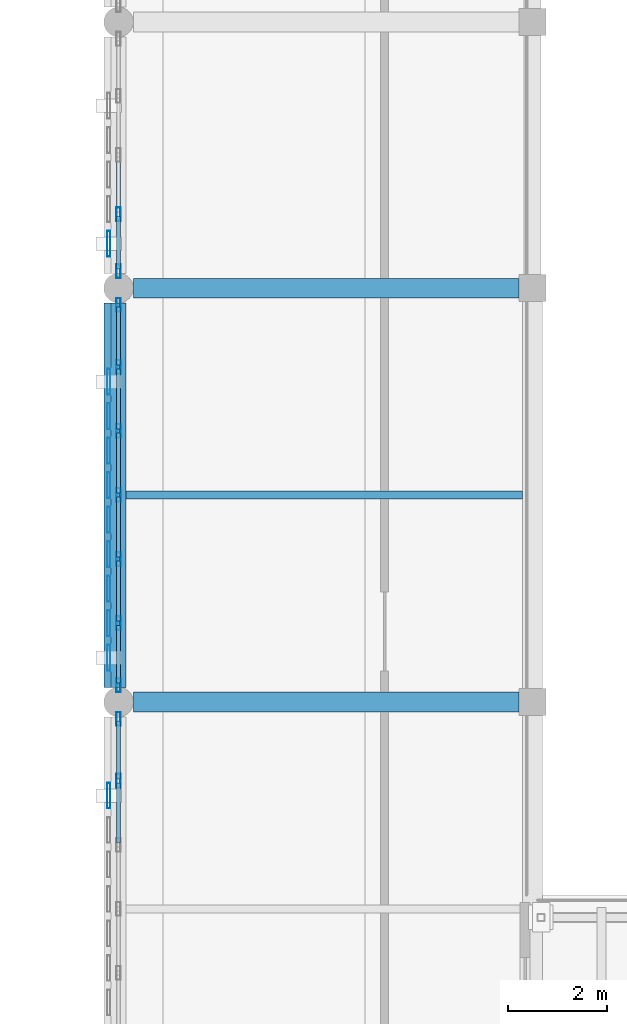
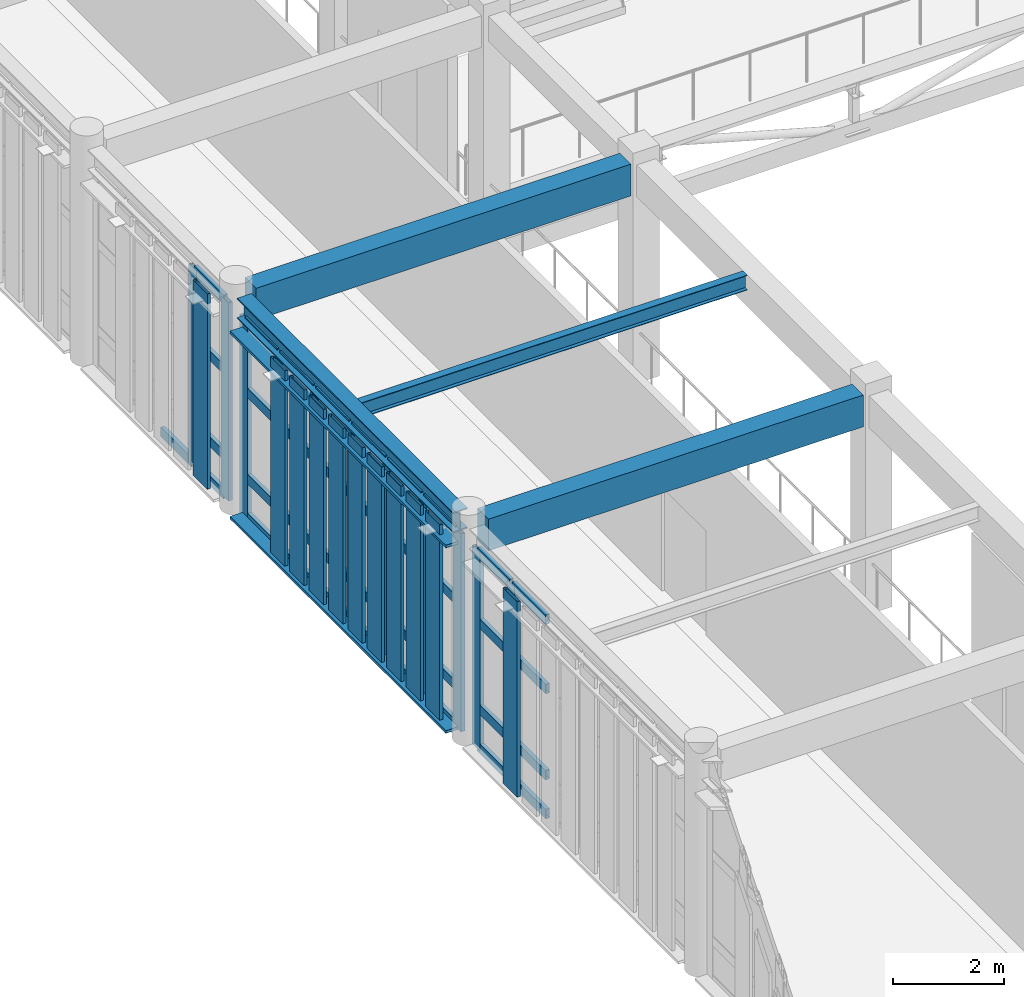
# One storey, part 30 of 93: 61 members, 4 beams, 3 elements without a shape of their own.
"""IFC4 building model written with IfcOpenShell, lengths in metres."""

from ifc_helpers import new_model, si_unit, direction, frame, origin, origin_2d, place, context, subcontext, project, spatial, rectangle, hollow_rectangle, i_section, extrude, material, layer, layer_set, material_profile, profile_set, type_object, element, aggregate, save


model = new_model("IFC4")

# Units and contexts
model_context = context("Model", 3, precision=1e-05, world=origin(), true_north=direction((0.0, 1.0)))
body_context = subcontext(model_context, "Body", "Model", "MODEL_VIEW")
ifc_project = project(units=[si_unit("LENGTHUNIT", "METRE"), si_unit("AREAUNIT", "SQUARE_METRE"), si_unit("VOLUMEUNIT", "CUBIC_METRE"), si_unit("PLANEANGLEUNIT", "RADIAN"), si_unit("MASSUNIT", "GRAM", prefix="KILO")], contexts=[model_context])

# Site, building, storey
site_placement = place(None, origin())
site = spatial("IfcSite", under=ifc_project, at=site_placement, CompositionType="ELEMENT")
building_placement = place(site_placement, origin())
building = spatial("IfcBuilding", under=site, at=building_placement, Name="Krzemoval Escarpment Law Courts", CompositionType="ELEMENT")
storey_placement = place(building_placement, frame((0.0, 0.0, 10.199951171875)))
storey = spatial("IfcBuildingStorey", under=building, at=storey_placement, Name="L02", CompositionType="ELEMENT", Elevation=10.199951171875)

# Beams
ifc_material_1 = material(Name="Concrete C40/50", Category="concrete")
ifc_material_profile_1 = material_profile(ifc_material_1, rectangle(XDim=0.39990234375, YDim=0.699951171875, at=origin_2d()), Name="RCB 400x700")
ifc_profile_set_1 = profile_set([ifc_material_profile_1], Name="Concrete C40/50")
beam_type_1 = type_object("IfcBeamType", Name="BM-RC-400x700", PredefinedType="BEAM", material=ifc_profile_set_1)
for number, where, z_axis, x_axis, name in (
    (1, (8.699951171875, 66.0, 4.469970703125), (1.0, 0.0, 0.0), (0.0, 1.0, 0.0), "Beam FG-L02-1794"),
    (2, (8.699951171875, 74.39990234375, 4.469970703125), (1.0, 0.0, 0.0), (0.0, 1.0, 0.0), "Beam FG-L02-1796"),
):
    element("IfcBeam", number, at=place(storey_placement, frame(where, z_axis=z_axis, x_axis=x_axis)), inside=storey, type_object=beam_type_1, Name=name, PredefinedType="BEAM", context=body_context, shape_type="SweptSolid", body=[
        extrude(rectangle(XDim=0.39990234375, YDim=0.699951171875, at=origin_2d()), origin(), (0.0, 0.0, 1.0), 7.824951171875),
    ])

# Curtain wall, members
ifc_material_2 = material(Name="Aluminium 6063-T6", Category="aluminium")
ifc_layer = layer(ifc_material_2, 0.280029296875)
ifc_layer_set = layer_set([ifc_layer], Name="Aluminium 6063-T6")
curtain_wall_type = type_object("IfcCurtainWallType", Name="CW-HALL-5100", PredefinedType="USERDEFINED", material=ifc_layer_set)
curtain_wall_1_placement = place(storey_placement, origin())
curtain_wall_1 = element("IfcCurtainWall", 3, at=curtain_wall_1_placement, inside=storey, type_object=curtain_wall_type, Name="Unitised Curtain Wall FCW-L02-067", ObjectType="UNITISED_CURTAIN_WALL", PredefinedType="USERDEFINED")
ifc_material_3 = material(Name="Aluminium 6063-T6", Category="aluminium")
ifc_material_profile_2 = material_profile(ifc_material_3, hollow_rectangle(XDim=0.0849609375, YDim=0.280029296875, WallThickness=0.005615234375, at=origin_2d()), Name="ALU M85x280")
ifc_profile_set_2 = profile_set([ifc_material_profile_2], Name="Aluminium 6063-T6")
member_type_1 = type_object("IfcMemberType", Name="CWM-85x280", PredefinedType="MULLION", material=ifc_profile_set_2)
member_1_placement = place(storey_placement, frame((8.39990234375, 64.39990234375, 0.0), z_axis=(0.0, 0.0, 1.0), x_axis=(-1.0, 0.0, 0.0)))
member_1 = element("IfcMember", 4, at=member_1_placement, type_object=member_type_1, Name="FCW-L02-067 mullion 6", PredefinedType="MULLION", context=body_context, shape_type="SweptSolid", body=[
    extrude(hollow_rectangle(XDim=0.0849609375, YDim=0.280029296875, WallThickness=0.005615234375, at=origin_2d()), origin(), (0.0, 0.0, 1.0), 4.3701171875),
])
member_2_placement = place(storey_placement, frame((8.39990234375, 65.657470703125, 0.0), z_axis=(0.0, 0.0, 1.0), x_axis=(-1.0, 0.0, 0.0)))
member_2 = element("IfcMember", 5, at=member_2_placement, type_object=member_type_1, Name="FCW-L02-067 mullion 7", PredefinedType="MULLION", context=body_context, shape_type="SweptSolid", body=[
    extrude(hollow_rectangle(XDim=0.0849609375, YDim=0.280029296875, WallThickness=0.005615234375, at=origin_2d()), origin(), (0.0, 0.0, 1.0), 4.3701171875),
])

curtain_wall_2_placement = place(storey_placement, origin())
curtain_wall_2 = element("IfcCurtainWall", 6, at=curtain_wall_2_placement, inside=storey, type_object=curtain_wall_type, Name="Unitised Curtain Wall FCW-L02-068", ObjectType="UNITISED_CURTAIN_WALL", PredefinedType="USERDEFINED")
member_3_placement = place(storey_placement, frame((8.39990234375, 66.342529296875, 0.0), z_axis=(0.0, 0.0, 1.0), x_axis=(-1.0, 0.0, 0.0)))
member_3 = element("IfcMember", 7, at=member_3_placement, type_object=member_type_1, Name="FCW-L02-068 mullion 1", PredefinedType="MULLION", context=body_context, shape_type="SweptSolid", body=[
    extrude(hollow_rectangle(XDim=0.0849609375, YDim=0.280029296875, WallThickness=0.005615234375, at=origin_2d()), origin(), (0.0, 0.0, 1.0), 4.3701171875),
])
member_4_placement = place(storey_placement, frame((8.39990234375, 67.60009765625, 0.0), z_axis=(0.0, 0.0, 1.0), x_axis=(-1.0, 0.0, 0.0)))
member_4 = element("IfcMember", 8, at=member_4_placement, type_object=member_type_1, Name="FCW-L02-068 mullion 2", PredefinedType="MULLION", context=body_context, shape_type="SweptSolid", body=[
    extrude(hollow_rectangle(XDim=0.0849609375, YDim=0.280029296875, WallThickness=0.005615234375, at=origin_2d()), origin(), (0.0, 0.0, 1.0), 4.3701171875),
])
member_5_placement = place(storey_placement, frame((8.39990234375, 68.89990234375, 0.0), z_axis=(0.0, 0.0, 1.0), x_axis=(-1.0, 0.0, 0.0)))
member_5 = element("IfcMember", 9, at=member_5_placement, type_object=member_type_1, Name="FCW-L02-068 mullion 3", PredefinedType="MULLION", context=body_context, shape_type="SweptSolid", body=[
    extrude(hollow_rectangle(XDim=0.0849609375, YDim=0.280029296875, WallThickness=0.005615234375, at=origin_2d()), origin(), (0.0, 0.0, 1.0), 4.3701171875),
])
member_6_placement = place(storey_placement, frame((8.39990234375, 70.199951171875, 0.0), z_axis=(0.0, 0.0, 1.0), x_axis=(-1.0, 0.0, 0.0)))
member_6 = element("IfcMember", 10, at=member_6_placement, type_object=member_type_1, Name="FCW-L02-068 mullion 4", PredefinedType="MULLION", context=body_context, shape_type="SweptSolid", body=[
    extrude(hollow_rectangle(XDim=0.0849609375, YDim=0.280029296875, WallThickness=0.005615234375, at=origin_2d()), origin(), (0.0, 0.0, 1.0), 4.3701171875),
])
member_7_placement = place(storey_placement, frame((8.39990234375, 71.5, 0.0), z_axis=(0.0, 0.0, 1.0), x_axis=(-1.0, 0.0, 0.0)))
member_7 = element("IfcMember", 11, at=member_7_placement, type_object=member_type_1, Name="FCW-L02-068 mullion 5", PredefinedType="MULLION", context=body_context, shape_type="SweptSolid", body=[
    extrude(hollow_rectangle(XDim=0.0849609375, YDim=0.280029296875, WallThickness=0.005615234375, at=origin_2d()), origin(), (0.0, 0.0, 1.0), 4.3701171875),
])
member_8_placement = place(storey_placement, frame((8.39990234375, 72.800048828125, 0.0), z_axis=(0.0, 0.0, 1.0), x_axis=(-1.0, 0.0, 0.0)))
member_8 = element("IfcMember", 12, at=member_8_placement, type_object=member_type_1, Name="FCW-L02-068 mullion 6", PredefinedType="MULLION", context=body_context, shape_type="SweptSolid", body=[
    extrude(hollow_rectangle(XDim=0.0849609375, YDim=0.280029296875, WallThickness=0.005615234375, at=origin_2d()), origin(), (0.0, 0.0, 1.0), 4.3701171875),
])
member_9_placement = place(storey_placement, frame((8.39990234375, 74.0576171875, 0.0), z_axis=(0.0, 0.0, 1.0), x_axis=(-1.0, 0.0, 0.0)))
member_9 = element("IfcMember", 13, at=member_9_placement, type_object=member_type_1, Name="FCW-L02-068 mullion 7", PredefinedType="MULLION", context=body_context, shape_type="SweptSolid", body=[
    extrude(hollow_rectangle(XDim=0.0849609375, YDim=0.280029296875, WallThickness=0.005615234375, at=origin_2d()), origin(), (0.0, 0.0, 1.0), 4.3701171875),
])

curtain_wall_3_placement = place(storey_placement, origin())
curtain_wall_3 = element("IfcCurtainWall", 14, at=curtain_wall_3_placement, inside=storey, type_object=curtain_wall_type, Name="Unitised Curtain Wall FCW-L02-069", ObjectType="UNITISED_CURTAIN_WALL", PredefinedType="USERDEFINED")
member_10_placement = place(storey_placement, frame((8.39990234375, 74.742431640625, 0.0), z_axis=(0.0, 0.0, 1.0), x_axis=(-1.0, 0.0, 0.0)))
member_10 = element("IfcMember", 15, at=member_10_placement, type_object=member_type_1, Name="FCW-L02-069 mullion 1", PredefinedType="MULLION", context=body_context, shape_type="SweptSolid", body=[
    extrude(hollow_rectangle(XDim=0.0849609375, YDim=0.280029296875, WallThickness=0.005615234375, at=origin_2d()), origin(), (0.0, 0.0, 1.0), 4.3701171875),
])
member_11_placement = place(storey_placement, frame((8.39990234375, 75.89990234375, 0.0), z_axis=(0.0, 0.0, 1.0), x_axis=(-1.0, 0.0, 0.0)))
member_11 = element("IfcMember", 16, at=member_11_placement, type_object=member_type_1, Name="FCW-L02-069 mullion 2", PredefinedType="MULLION", context=body_context, shape_type="SweptSolid", body=[
    extrude(hollow_rectangle(XDim=0.0849609375, YDim=0.280029296875, WallThickness=0.005615234375, at=origin_2d()), origin(), (0.0, 0.0, 1.0), 4.3701171875),
])

# Member
ifc_material_4 = material(Name="Aluminium 6063-T6", Category="aluminium")
ifc_material_profile_3 = material_profile(ifc_material_4, hollow_rectangle(XDim=0.0849609375, YDim=0.2099609375, WallThickness=0.005615234375, at=origin_2d()), Name="ALU T85x210")
ifc_profile_set_3 = profile_set([ifc_material_profile_3], Name="Aluminium 6063-T6")
member_type_2 = type_object("IfcMemberType", Name="CWT-85x210", PredefinedType="USERDEFINED", material=ifc_profile_set_3)
member_12_placement = place(storey_placement, frame((8.39990234375, 63.142578125, 0.04248046875), z_axis=(0.0, 1.0, 0.0), x_axis=(-1.0, 0.0, 0.0)))
member_12 = element("IfcMember", 17, at=member_12_placement, type_object=member_type_2, Name="FCW-L02-067 transom 5.1", ObjectType="TRANSOM", PredefinedType="USERDEFINED", context=body_context, shape_type="SweptSolid", body=[
    extrude(hollow_rectangle(XDim=0.0849609375, YDim=0.2099609375, WallThickness=0.005615234375, at=origin_2d()), origin(), (0.0, 0.0, 1.0), 1.21484375),
])

member_13_placement = place(storey_placement, frame((8.39990234375, 63.142578125, 0.900146484375), z_axis=(0.0, 1.0, 0.0), x_axis=(-1.0, 0.0, 0.0)))
member_13 = element("IfcMember", 18, at=member_13_placement, type_object=member_type_2, Name="FCW-L02-067 transom 5.2", ObjectType="TRANSOM", PredefinedType="USERDEFINED", context=body_context, shape_type="SweptSolid", body=[
    extrude(hollow_rectangle(XDim=0.0849609375, YDim=0.2099609375, WallThickness=0.005615234375, at=origin_2d()), origin(), (0.0, 0.0, 1.0), 1.21484375),
])

member_14_placement = place(storey_placement, frame((8.39990234375, 63.142578125, 2.800048828125), z_axis=(0.0, 1.0, 0.0), x_axis=(-1.0, 0.0, 0.0)))
member_14 = element("IfcMember", 19, at=member_14_placement, type_object=member_type_2, Name="FCW-L02-067 transom 5.3", ObjectType="TRANSOM", PredefinedType="USERDEFINED", context=body_context, shape_type="SweptSolid", body=[
    extrude(hollow_rectangle(XDim=0.0849609375, YDim=0.2099609375, WallThickness=0.005615234375, at=origin_2d()), origin(), (0.0, 0.0, 1.0), 1.21484375),
])

member_15_placement = place(storey_placement, frame((8.39990234375, 63.142578125, 4.32763671875), z_axis=(0.0, 1.0, 0.0), x_axis=(-1.0, 0.0, 0.0)))
member_15 = element("IfcMember", 20, at=member_15_placement, type_object=member_type_2, Name="FCW-L02-067 transom 5.4", ObjectType="TRANSOM", PredefinedType="USERDEFINED", context=body_context, shape_type="SweptSolid", body=[
    extrude(hollow_rectangle(XDim=0.0849609375, YDim=0.2099609375, WallThickness=0.005615234375, at=origin_2d()), origin(), (0.0, 0.0, 1.0), 1.21484375),
])

member_16_placement = place(storey_placement, frame((8.39990234375, 64.4423828125, 0.04248046875), z_axis=(0.0, 1.0, 0.0), x_axis=(-1.0, 0.0, 0.0)))
member_16 = element("IfcMember", 21, at=member_16_placement, type_object=member_type_2, Name="FCW-L02-067 transom 6.1", ObjectType="TRANSOM", PredefinedType="USERDEFINED", context=body_context, shape_type="SweptSolid", body=[
    extrude(hollow_rectangle(XDim=0.0849609375, YDim=0.2099609375, WallThickness=0.005615234375, at=origin_2d()), origin(), (0.0, 0.0, 1.0), 1.172607421875),
])

member_17_placement = place(storey_placement, frame((8.39990234375, 64.4423828125, 0.900146484375), z_axis=(0.0, 1.0, 0.0), x_axis=(-1.0, 0.0, 0.0)))
member_17 = element("IfcMember", 22, at=member_17_placement, type_object=member_type_2, Name="FCW-L02-067 transom 6.2", ObjectType="TRANSOM", PredefinedType="USERDEFINED", context=body_context, shape_type="SweptSolid", body=[
    extrude(hollow_rectangle(XDim=0.0849609375, YDim=0.2099609375, WallThickness=0.005615234375, at=origin_2d()), origin(), (0.0, 0.0, 1.0), 1.172607421875),
])

member_18_placement = place(storey_placement, frame((8.39990234375, 64.4423828125, 2.800048828125), z_axis=(0.0, 1.0, 0.0), x_axis=(-1.0, 0.0, 0.0)))
member_18 = element("IfcMember", 23, at=member_18_placement, type_object=member_type_2, Name="FCW-L02-067 transom 6.3", ObjectType="TRANSOM", PredefinedType="USERDEFINED", context=body_context, shape_type="SweptSolid", body=[
    extrude(hollow_rectangle(XDim=0.0849609375, YDim=0.2099609375, WallThickness=0.005615234375, at=origin_2d()), origin(), (0.0, 0.0, 1.0), 1.172607421875),
])

member_19_placement = place(storey_placement, frame((8.39990234375, 64.4423828125, 4.32763671875), z_axis=(0.0, 1.0, 0.0), x_axis=(-1.0, 0.0, 0.0)))
member_19 = element("IfcMember", 24, at=member_19_placement, type_object=member_type_2, Name="FCW-L02-067 transom 6.4", ObjectType="TRANSOM", PredefinedType="USERDEFINED", context=body_context, shape_type="SweptSolid", body=[
    extrude(hollow_rectangle(XDim=0.0849609375, YDim=0.2099609375, WallThickness=0.005615234375, at=origin_2d()), origin(), (0.0, 0.0, 1.0), 1.172607421875),
])

aggregate(curtain_wall_1, [member_1, member_2, member_12, member_13, member_14, member_15, member_16, member_17, member_18, member_19])

member_20_placement = place(storey_placement, frame((8.39990234375, 66.385009765625, 0.04248046875), z_axis=(0.0, 1.0, 0.0), x_axis=(-1.0, 0.0, 0.0)))
member_20 = element("IfcMember", 25, at=member_20_placement, type_object=member_type_2, Name="FCW-L02-068 transom 1.1", ObjectType="TRANSOM", PredefinedType="USERDEFINED", context=body_context, shape_type="SweptSolid", body=[
    extrude(hollow_rectangle(XDim=0.0849609375, YDim=0.2099609375, WallThickness=0.005615234375, at=origin_2d()), origin(), (0.0, 0.0, 1.0), 1.172607421875),
])

member_21_placement = place(storey_placement, frame((8.39990234375, 66.385009765625, 0.900146484375), z_axis=(0.0, 1.0, 0.0), x_axis=(-1.0, 0.0, 0.0)))
member_21 = element("IfcMember", 26, at=member_21_placement, type_object=member_type_2, Name="FCW-L02-068 transom 1.2", ObjectType="TRANSOM", PredefinedType="USERDEFINED", context=body_context, shape_type="SweptSolid", body=[
    extrude(hollow_rectangle(XDim=0.0849609375, YDim=0.2099609375, WallThickness=0.005615234375, at=origin_2d()), origin(), (0.0, 0.0, 1.0), 1.172607421875),
])

member_22_placement = place(storey_placement, frame((8.39990234375, 66.385009765625, 2.800048828125), z_axis=(0.0, 1.0, 0.0), x_axis=(-1.0, 0.0, 0.0)))
member_22 = element("IfcMember", 27, at=member_22_placement, type_object=member_type_2, Name="FCW-L02-068 transom 1.3", ObjectType="TRANSOM", PredefinedType="USERDEFINED", context=body_context, shape_type="SweptSolid", body=[
    extrude(hollow_rectangle(XDim=0.0849609375, YDim=0.2099609375, WallThickness=0.005615234375, at=origin_2d()), origin(), (0.0, 0.0, 1.0), 1.172607421875),
])

member_23_placement = place(storey_placement, frame((8.39990234375, 66.385009765625, 4.32763671875), z_axis=(0.0, 1.0, 0.0), x_axis=(-1.0, 0.0, 0.0)))
member_23 = element("IfcMember", 28, at=member_23_placement, type_object=member_type_2, Name="FCW-L02-068 transom 1.4", ObjectType="TRANSOM", PredefinedType="USERDEFINED", context=body_context, shape_type="SweptSolid", body=[
    extrude(hollow_rectangle(XDim=0.0849609375, YDim=0.2099609375, WallThickness=0.005615234375, at=origin_2d()), origin(), (0.0, 0.0, 1.0), 1.172607421875),
])

member_24_placement = place(storey_placement, frame((8.39990234375, 67.642578125, 0.04248046875), z_axis=(0.0, 1.0, 0.0), x_axis=(-1.0, 0.0, 0.0)))
member_24 = element("IfcMember", 29, at=member_24_placement, type_object=member_type_2, Name="FCW-L02-068 transom 2.1", ObjectType="TRANSOM", PredefinedType="USERDEFINED", context=body_context, shape_type="SweptSolid", body=[
    extrude(hollow_rectangle(XDim=0.0849609375, YDim=0.2099609375, WallThickness=0.005615234375, at=origin_2d()), origin(), (0.0, 0.0, 1.0), 1.21484375),
])

member_25_placement = place(storey_placement, frame((8.39990234375, 67.642578125, 0.900146484375), z_axis=(0.0, 1.0, 0.0), x_axis=(-1.0, 0.0, 0.0)))
member_25 = element("IfcMember", 30, at=member_25_placement, type_object=member_type_2, Name="FCW-L02-068 transom 2.2", ObjectType="TRANSOM", PredefinedType="USERDEFINED", context=body_context, shape_type="SweptSolid", body=[
    extrude(hollow_rectangle(XDim=0.0849609375, YDim=0.2099609375, WallThickness=0.005615234375, at=origin_2d()), origin(), (0.0, 0.0, 1.0), 1.21484375),
])

member_26_placement = place(storey_placement, frame((8.39990234375, 67.642578125, 2.800048828125), z_axis=(0.0, 1.0, 0.0), x_axis=(-1.0, 0.0, 0.0)))
member_26 = element("IfcMember", 31, at=member_26_placement, type_object=member_type_2, Name="FCW-L02-068 transom 2.3", ObjectType="TRANSOM", PredefinedType="USERDEFINED", context=body_context, shape_type="SweptSolid", body=[
    extrude(hollow_rectangle(XDim=0.0849609375, YDim=0.2099609375, WallThickness=0.005615234375, at=origin_2d()), origin(), (0.0, 0.0, 1.0), 1.21484375),
])

member_27_placement = place(storey_placement, frame((8.39990234375, 67.642578125, 4.32763671875), z_axis=(0.0, 1.0, 0.0), x_axis=(-1.0, 0.0, 0.0)))
member_27 = element("IfcMember", 32, at=member_27_placement, type_object=member_type_2, Name="FCW-L02-068 transom 2.4", ObjectType="TRANSOM", PredefinedType="USERDEFINED", context=body_context, shape_type="SweptSolid", body=[
    extrude(hollow_rectangle(XDim=0.0849609375, YDim=0.2099609375, WallThickness=0.005615234375, at=origin_2d()), origin(), (0.0, 0.0, 1.0), 1.21484375),
])

member_28_placement = place(storey_placement, frame((8.39990234375, 68.9423828125, 0.04248046875), z_axis=(0.0, 1.0, 0.0), x_axis=(-1.0, 0.0, 0.0)))
member_28 = element("IfcMember", 33, at=member_28_placement, type_object=member_type_2, Name="FCW-L02-068 transom 3.1", ObjectType="TRANSOM", PredefinedType="USERDEFINED", context=body_context, shape_type="SweptSolid", body=[
    extrude(hollow_rectangle(XDim=0.0849609375, YDim=0.2099609375, WallThickness=0.005615234375, at=origin_2d()), origin(), (0.0, 0.0, 1.0), 1.215087890625),
])

member_29_placement = place(storey_placement, frame((8.39990234375, 68.9423828125, 0.900146484375), z_axis=(0.0, 1.0, 0.0), x_axis=(-1.0, 0.0, 0.0)))
member_29 = element("IfcMember", 34, at=member_29_placement, type_object=member_type_2, Name="FCW-L02-068 transom 3.2", ObjectType="TRANSOM", PredefinedType="USERDEFINED", context=body_context, shape_type="SweptSolid", body=[
    extrude(hollow_rectangle(XDim=0.0849609375, YDim=0.2099609375, WallThickness=0.005615234375, at=origin_2d()), origin(), (0.0, 0.0, 1.0), 1.215087890625),
])

member_30_placement = place(storey_placement, frame((8.39990234375, 68.9423828125, 2.800048828125), z_axis=(0.0, 1.0, 0.0), x_axis=(-1.0, 0.0, 0.0)))
member_30 = element("IfcMember", 35, at=member_30_placement, type_object=member_type_2, Name="FCW-L02-068 transom 3.3", ObjectType="TRANSOM", PredefinedType="USERDEFINED", context=body_context, shape_type="SweptSolid", body=[
    extrude(hollow_rectangle(XDim=0.0849609375, YDim=0.2099609375, WallThickness=0.005615234375, at=origin_2d()), origin(), (0.0, 0.0, 1.0), 1.215087890625),
])

member_31_placement = place(storey_placement, frame((8.39990234375, 68.9423828125, 4.32763671875), z_axis=(0.0, 1.0, 0.0), x_axis=(-1.0, 0.0, 0.0)))
member_31 = element("IfcMember", 36, at=member_31_placement, type_object=member_type_2, Name="FCW-L02-068 transom 3.4", ObjectType="TRANSOM", PredefinedType="USERDEFINED", context=body_context, shape_type="SweptSolid", body=[
    extrude(hollow_rectangle(XDim=0.0849609375, YDim=0.2099609375, WallThickness=0.005615234375, at=origin_2d()), origin(), (0.0, 0.0, 1.0), 1.215087890625),
])

member_32_placement = place(storey_placement, frame((8.39990234375, 70.242431640625, 0.04248046875), z_axis=(0.0, 1.0, 0.0), x_axis=(-1.0, 0.0, 0.0)))
member_32 = element("IfcMember", 37, at=member_32_placement, type_object=member_type_2, Name="FCW-L02-068 transom 4.1", ObjectType="TRANSOM", PredefinedType="USERDEFINED", context=body_context, shape_type="SweptSolid", body=[
    extrude(hollow_rectangle(XDim=0.0849609375, YDim=0.2099609375, WallThickness=0.005615234375, at=origin_2d()), origin(), (0.0, 0.0, 1.0), 1.215087890625),
])

member_33_placement = place(storey_placement, frame((8.39990234375, 70.242431640625, 0.900146484375), z_axis=(0.0, 1.0, 0.0), x_axis=(-1.0, 0.0, 0.0)))
member_33 = element("IfcMember", 38, at=member_33_placement, type_object=member_type_2, Name="FCW-L02-068 transom 4.2", ObjectType="TRANSOM", PredefinedType="USERDEFINED", context=body_context, shape_type="SweptSolid", body=[
    extrude(hollow_rectangle(XDim=0.0849609375, YDim=0.2099609375, WallThickness=0.005615234375, at=origin_2d()), origin(), (0.0, 0.0, 1.0), 1.215087890625),
])

member_34_placement = place(storey_placement, frame((8.39990234375, 70.242431640625, 2.800048828125), z_axis=(0.0, 1.0, 0.0), x_axis=(-1.0, 0.0, 0.0)))
member_34 = element("IfcMember", 39, at=member_34_placement, type_object=member_type_2, Name="FCW-L02-068 transom 4.3", ObjectType="TRANSOM", PredefinedType="USERDEFINED", context=body_context, shape_type="SweptSolid", body=[
    extrude(hollow_rectangle(XDim=0.0849609375, YDim=0.2099609375, WallThickness=0.005615234375, at=origin_2d()), origin(), (0.0, 0.0, 1.0), 1.215087890625),
])

member_35_placement = place(storey_placement, frame((8.39990234375, 70.242431640625, 4.32763671875), z_axis=(0.0, 1.0, 0.0), x_axis=(-1.0, 0.0, 0.0)))
member_35 = element("IfcMember", 40, at=member_35_placement, type_object=member_type_2, Name="FCW-L02-068 transom 4.4", ObjectType="TRANSOM", PredefinedType="USERDEFINED", context=body_context, shape_type="SweptSolid", body=[
    extrude(hollow_rectangle(XDim=0.0849609375, YDim=0.2099609375, WallThickness=0.005615234375, at=origin_2d()), origin(), (0.0, 0.0, 1.0), 1.215087890625),
])

member_36_placement = place(storey_placement, frame((8.39990234375, 71.54248046875, 0.04248046875), z_axis=(0.0, 1.0, 0.0), x_axis=(-1.0, 0.0, 0.0)))
member_36 = element("IfcMember", 41, at=member_36_placement, type_object=member_type_2, Name="FCW-L02-068 transom 5.1", ObjectType="TRANSOM", PredefinedType="USERDEFINED", context=body_context, shape_type="SweptSolid", body=[
    extrude(hollow_rectangle(XDim=0.0849609375, YDim=0.2099609375, WallThickness=0.005615234375, at=origin_2d()), origin(), (0.0, 0.0, 1.0), 1.215087890625),
])

member_37_placement = place(storey_placement, frame((8.39990234375, 71.54248046875, 0.900146484375), z_axis=(0.0, 1.0, 0.0), x_axis=(-1.0, 0.0, 0.0)))
member_37 = element("IfcMember", 42, at=member_37_placement, type_object=member_type_2, Name="FCW-L02-068 transom 5.2", ObjectType="TRANSOM", PredefinedType="USERDEFINED", context=body_context, shape_type="SweptSolid", body=[
    extrude(hollow_rectangle(XDim=0.0849609375, YDim=0.2099609375, WallThickness=0.005615234375, at=origin_2d()), origin(), (0.0, 0.0, 1.0), 1.215087890625),
])

member_38_placement = place(storey_placement, frame((8.39990234375, 71.54248046875, 2.800048828125), z_axis=(0.0, 1.0, 0.0), x_axis=(-1.0, 0.0, 0.0)))
member_38 = element("IfcMember", 43, at=member_38_placement, type_object=member_type_2, Name="FCW-L02-068 transom 5.3", ObjectType="TRANSOM", PredefinedType="USERDEFINED", context=body_context, shape_type="SweptSolid", body=[
    extrude(hollow_rectangle(XDim=0.0849609375, YDim=0.2099609375, WallThickness=0.005615234375, at=origin_2d()), origin(), (0.0, 0.0, 1.0), 1.215087890625),
])

member_39_placement = place(storey_placement, frame((8.39990234375, 71.54248046875, 4.32763671875), z_axis=(0.0, 1.0, 0.0), x_axis=(-1.0, 0.0, 0.0)))
member_39 = element("IfcMember", 44, at=member_39_placement, type_object=member_type_2, Name="FCW-L02-068 transom 5.4", ObjectType="TRANSOM", PredefinedType="USERDEFINED", context=body_context, shape_type="SweptSolid", body=[
    extrude(hollow_rectangle(XDim=0.0849609375, YDim=0.2099609375, WallThickness=0.005615234375, at=origin_2d()), origin(), (0.0, 0.0, 1.0), 1.215087890625),
])

member_40_placement = place(storey_placement, frame((8.39990234375, 72.842529296875, 0.04248046875), z_axis=(0.0, 1.0, 0.0), x_axis=(-1.0, 0.0, 0.0)))
member_40 = element("IfcMember", 45, at=member_40_placement, type_object=member_type_2, Name="FCW-L02-068 transom 6.1", ObjectType="TRANSOM", PredefinedType="USERDEFINED", context=body_context, shape_type="SweptSolid", body=[
    extrude(hollow_rectangle(XDim=0.0849609375, YDim=0.2099609375, WallThickness=0.005615234375, at=origin_2d()), origin(), (0.0, 0.0, 1.0), 1.17236328125),
])

member_41_placement = place(storey_placement, frame((8.39990234375, 72.842529296875, 0.900146484375), z_axis=(0.0, 1.0, 0.0), x_axis=(-1.0, 0.0, 0.0)))
member_41 = element("IfcMember", 46, at=member_41_placement, type_object=member_type_2, Name="FCW-L02-068 transom 6.2", ObjectType="TRANSOM", PredefinedType="USERDEFINED", context=body_context, shape_type="SweptSolid", body=[
    extrude(hollow_rectangle(XDim=0.0849609375, YDim=0.2099609375, WallThickness=0.005615234375, at=origin_2d()), origin(), (0.0, 0.0, 1.0), 1.17236328125),
])

member_42_placement = place(storey_placement, frame((8.39990234375, 72.842529296875, 2.800048828125), z_axis=(0.0, 1.0, 0.0), x_axis=(-1.0, 0.0, 0.0)))
member_42 = element("IfcMember", 47, at=member_42_placement, type_object=member_type_2, Name="FCW-L02-068 transom 6.3", ObjectType="TRANSOM", PredefinedType="USERDEFINED", context=body_context, shape_type="SweptSolid", body=[
    extrude(hollow_rectangle(XDim=0.0849609375, YDim=0.2099609375, WallThickness=0.005615234375, at=origin_2d()), origin(), (0.0, 0.0, 1.0), 1.17236328125),
])

member_43_placement = place(storey_placement, frame((8.39990234375, 72.842529296875, 4.32763671875), z_axis=(0.0, 1.0, 0.0), x_axis=(-1.0, 0.0, 0.0)))
member_43 = element("IfcMember", 48, at=member_43_placement, type_object=member_type_2, Name="FCW-L02-068 transom 6.4", ObjectType="TRANSOM", PredefinedType="USERDEFINED", context=body_context, shape_type="SweptSolid", body=[
    extrude(hollow_rectangle(XDim=0.0849609375, YDim=0.2099609375, WallThickness=0.005615234375, at=origin_2d()), origin(), (0.0, 0.0, 1.0), 1.17236328125),
])

aggregate(curtain_wall_2, [member_3, member_4, member_5, member_6, member_7, member_8, member_9, member_20, member_21, member_22, member_23, member_24, member_25, member_26, member_27, member_28, member_29, member_30, member_31, member_32, member_33, member_34, member_35, member_36, member_37, member_38, member_39, member_40, member_41, member_42, member_43])

member_44_placement = place(storey_placement, frame((8.39990234375, 74.784912109375, 0.04248046875), z_axis=(0.0, 1.0, 0.0), x_axis=(-1.0, 0.0, 0.0)))
member_44 = element("IfcMember", 49, at=member_44_placement, type_object=member_type_2, Name="FCW-L02-069 transom 1.1", ObjectType="TRANSOM", PredefinedType="USERDEFINED", context=body_context, shape_type="SweptSolid", body=[
    extrude(hollow_rectangle(XDim=0.0849609375, YDim=0.2099609375, WallThickness=0.005615234375, at=origin_2d()), origin(), (0.0, 0.0, 1.0), 1.072509765625),
])

member_45_placement = place(storey_placement, frame((8.39990234375, 74.784912109375, 0.900146484375), z_axis=(0.0, 1.0, 0.0), x_axis=(-1.0, 0.0, 0.0)))
member_45 = element("IfcMember", 50, at=member_45_placement, type_object=member_type_2, Name="FCW-L02-069 transom 1.2", ObjectType="TRANSOM", PredefinedType="USERDEFINED", context=body_context, shape_type="SweptSolid", body=[
    extrude(hollow_rectangle(XDim=0.0849609375, YDim=0.2099609375, WallThickness=0.005615234375, at=origin_2d()), origin(), (0.0, 0.0, 1.0), 1.072509765625),
])

member_46_placement = place(storey_placement, frame((8.39990234375, 74.784912109375, 2.800048828125), z_axis=(0.0, 1.0, 0.0), x_axis=(-1.0, 0.0, 0.0)))
member_46 = element("IfcMember", 51, at=member_46_placement, type_object=member_type_2, Name="FCW-L02-069 transom 1.3", ObjectType="TRANSOM", PredefinedType="USERDEFINED", context=body_context, shape_type="SweptSolid", body=[
    extrude(hollow_rectangle(XDim=0.0849609375, YDim=0.2099609375, WallThickness=0.005615234375, at=origin_2d()), origin(), (0.0, 0.0, 1.0), 1.072509765625),
])

member_47_placement = place(storey_placement, frame((8.39990234375, 74.784912109375, 4.32763671875), z_axis=(0.0, 1.0, 0.0), x_axis=(-1.0, 0.0, 0.0)))
member_47 = element("IfcMember", 52, at=member_47_placement, type_object=member_type_2, Name="FCW-L02-069 transom 1.4", ObjectType="TRANSOM", PredefinedType="USERDEFINED", context=body_context, shape_type="SweptSolid", body=[
    extrude(hollow_rectangle(XDim=0.0849609375, YDim=0.2099609375, WallThickness=0.005615234375, at=origin_2d()), origin(), (0.0, 0.0, 1.0), 1.072509765625),
])

member_48_placement = place(storey_placement, frame((8.39990234375, 75.9423828125, 0.04248046875), z_axis=(0.0, 1.0, 0.0), x_axis=(-1.0, 0.0, 0.0)))
member_48 = element("IfcMember", 53, at=member_48_placement, type_object=member_type_2, Name="FCW-L02-069 transom 2.1", ObjectType="TRANSOM", PredefinedType="USERDEFINED", context=body_context, shape_type="SweptSolid", body=[
    extrude(hollow_rectangle(XDim=0.0849609375, YDim=0.2099609375, WallThickness=0.005615234375, at=origin_2d()), origin(), (0.0, 0.0, 1.0), 1.115234375),
])

aggregate(curtain_wall_3, [member_10, member_11, member_44, member_45, member_46, member_47, member_48])

# Beam
ifc_material_5 = material(Name="Steel S355", Category="steel")
ifc_material_profile_4 = material_profile(ifc_material_5, i_section(OverallWidth=0.159912109375, OverallDepth=0.330078125, WebThickness=0.007568359375, FlangeThickness=0.011474609375, at=origin_2d()), Name="IPE 330")
ifc_profile_set_4 = profile_set([ifc_material_profile_4], Name="Steel S355")
beam_type_2 = type_object("IfcBeamType", Name="JST-S355-IPE330", PredefinedType="JOIST", material=ifc_profile_set_4)
beam_1_placement = place(storey_placement, frame((8.550048828125, 70.199951171875, 4.655029296875), z_axis=(1.0, 0.0, 0.0), x_axis=(0.0, 1.0, 0.0)))
element("IfcBeam", 54, at=beam_1_placement, inside=storey, type_object=beam_type_2, Name="Secondary Joist FJ-L02-2015", PredefinedType="JOIST", context=body_context, shape_type="SweptSolid", body=[
    extrude(i_section(OverallWidth=0.159912109375, OverallDepth=0.330078125, WebThickness=0.007568359375, FlangeThickness=0.011474609375, at=origin_2d()), origin(), (0.0, 0.0, 1.0), 8.050048828125),
])

# Members
ifc_material_6 = material(Name="Anodised Aluminium Alloy 6063-T6", Category="aluminium")
ifc_material_profile_5 = material_profile(ifc_material_6, hollow_rectangle(XDim=0.06005859375, YDim=0.320068359375, WallThickness=0.00390625, at=origin_2d()), Name="ALU LVR 60x320")
ifc_profile_set_5 = profile_set([ifc_material_profile_5], Name="Anodised Aluminium Alloy 6063-T6")
member_type_3 = type_object("IfcMemberType", Name="LVR-ALU-320", PredefinedType="USERDEFINED", material=ifc_profile_set_5)
for number, where, z_axis, x_axis, name in (
    (55, (8.260009765625, 66.300048828125, 0.030029296875), (0.0, 1.0, 0.0), (0.0, 0.0, 1.0), "Sunshade Support Rail FSR-L02-0407"),
    (56, (8.260009765625, 66.300048828125, 4.1201171875), (0.0, 1.0, 0.0), (0.0, 0.0, 1.0), "Sunshade Support Rail FSR-L02-0408"),
):
    element("IfcMember", number, at=place(storey_placement, frame(where, z_axis=z_axis, x_axis=x_axis)), inside=storey, type_object=member_type_3, Name=name, ObjectType="SUNSHADE_LOUVRE", PredefinedType="USERDEFINED", context=body_context, shape_type="SweptSolid", body=[
        extrude(hollow_rectangle(XDim=0.06005859375, YDim=0.320068359375, WallThickness=0.00390625, at=origin_2d()), origin(), (0.0, 0.0, 1.0), 7.800048828125),
    ])
ifc_material_7 = material(Name="Anodised Aluminium Alloy 6063-T6", Category="aluminium")
ifc_material_profile_6 = material_profile(ifc_material_7, hollow_rectangle(XDim=0.06494140625, YDim=0.52001953125, WallThickness=0.00439453125, at=origin_2d()), Name="ALU LVR 65x520")
ifc_profile_set_6 = profile_set([ifc_material_profile_6], Name="Anodised Aluminium Alloy 6063-T6")
member_type_4 = type_object("IfcMemberType", Name="LVR-ALU-520", PredefinedType="USERDEFINED", material=ifc_profile_set_6)
for number, where, z_axis, x_axis, name in (
    (57, (8.199951171875, 64.10009765625, 0.06005859375), (0.0, 0.0, 1.0), (1.0, 0.0, 0.0), "Sunshade Louvre Fin FLV-L02-0406"),
    (58, (8.199951171875, 66.89990234375, 0.06005859375), (0.0, 0.0, 1.0), (1.0, 0.0, 0.0), "Sunshade Louvre Fin FLV-L02-0409"),
    (59, (8.199951171875, 67.60009765625, 0.06005859375), (0.0, 0.0, 1.0), (1.0, 0.0, 0.0), "Sunshade Louvre Fin FLV-L02-0410"),
    (60, (8.199951171875, 68.300048828125, 0.06005859375), (0.0, 0.0, 1.0), (1.0, 0.0, 0.0), "Sunshade Louvre Fin FLV-L02-0411"),
    (61, (8.199951171875, 69.0, 0.06005859375), (0.0, 0.0, 1.0), (1.0, 0.0, 0.0), "Sunshade Louvre Fin FLV-L02-0412"),
    (62, (8.199951171875, 69.699951171875, 0.06005859375), (0.0, 0.0, 1.0), (1.0, 0.0, 0.0), "Sunshade Louvre Fin FLV-L02-0413"),
    (63, (8.199951171875, 70.39990234375, 0.06005859375), (0.0, 0.0, 1.0), (1.0, 0.0, 0.0), "Sunshade Louvre Fin FLV-L02-0414"),
    (64, (8.199951171875, 71.10009765625, 0.06005859375), (0.0, 0.0, 1.0), (1.0, 0.0, 0.0), "Sunshade Louvre Fin FLV-L02-0415"),
    (65, (8.199951171875, 71.800048828125, 0.06005859375), (0.0, 0.0, 1.0), (1.0, 0.0, 0.0), "Sunshade Louvre Fin FLV-L02-0416"),
    (66, (8.199951171875, 72.5, 0.06005859375), (0.0, 0.0, 1.0), (1.0, 0.0, 0.0), "Sunshade Louvre Fin FLV-L02-0417"),
    (67, (8.199951171875, 75.300048828125, 0.06005859375), (0.0, 0.0, 1.0), (1.0, 0.0, 0.0), "Sunshade Louvre Fin FLV-L02-0420"),
):
    element("IfcMember", number, at=place(storey_placement, frame(where, z_axis=z_axis, x_axis=x_axis)), inside=storey, type_object=member_type_4, Name=name, ObjectType="SUNSHADE_LOUVRE", PredefinedType="USERDEFINED", context=body_context, shape_type="SweptSolid", body=[
        extrude(hollow_rectangle(XDim=0.06494140625, YDim=0.52001953125, WallThickness=0.00439453125, at=origin_2d()), origin(), (0.0, 0.0, 1.0), 4.31005859375),
    ])

# Beam
ifc_material_8 = material(Name="Steel S355", Category="steel")
ifc_material_profile_7 = material_profile(ifc_material_8, i_section(OverallWidth=0.300048828125, OverallDepth=0.449951171875, WebThickness=0.013916015625, FlangeThickness=0.02587890625, at=origin_2d()), Name="HEB 450")
ifc_profile_set_7 = profile_set([ifc_material_profile_7], Name="Steel S355")
beam_type_3 = type_object("IfcBeamType", Name="SPN-S355-HEB450", PredefinedType="SPANDREL", material=ifc_profile_set_7)
beam_2_placement = place(storey_placement, frame((8.39990234375, 66.300048828125, 4.594970703125), z_axis=(0.0, 1.0, 0.0), x_axis=(-1.0, 0.0, 0.0)))
element("IfcBeam", 68, at=beam_2_placement, inside=storey, type_object=beam_type_3, Name="Beam FG-L02-1864", PredefinedType="SPANDREL", context=body_context, shape_type="SweptSolid", body=[
    extrude(i_section(OverallWidth=0.300048828125, OverallDepth=0.449951171875, WebThickness=0.013916015625, FlangeThickness=0.02587890625, at=origin_2d()), origin(), (0.0, 0.0, 1.0), 7.800048828125),
])

save(model, "model.ifc")
